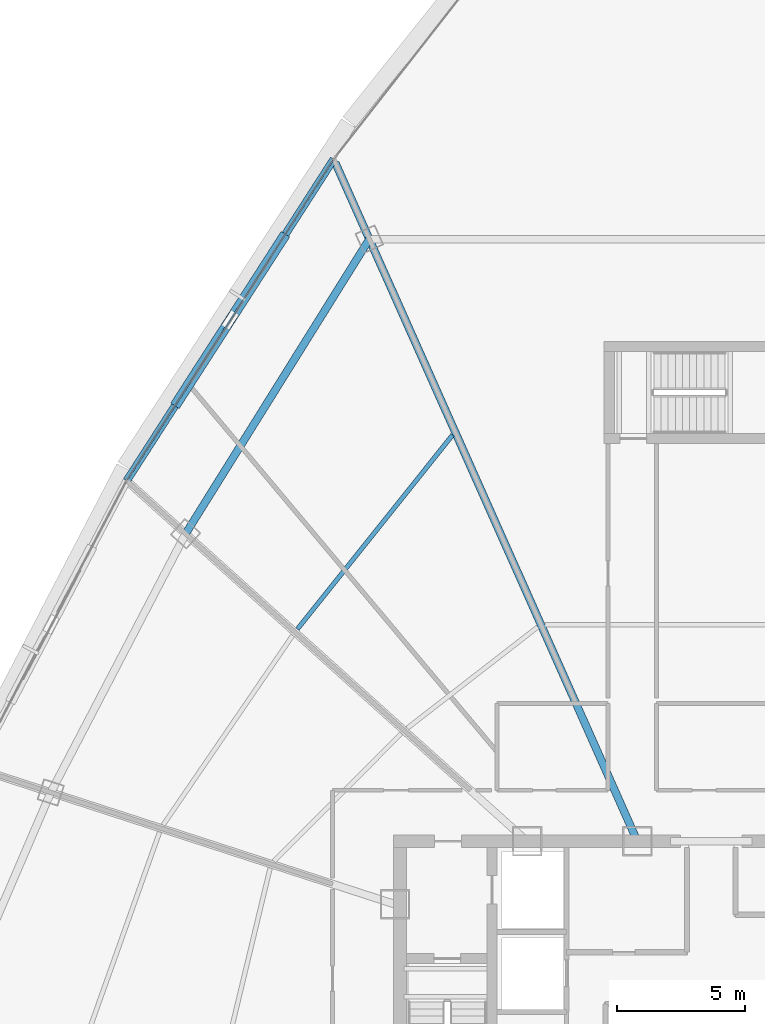
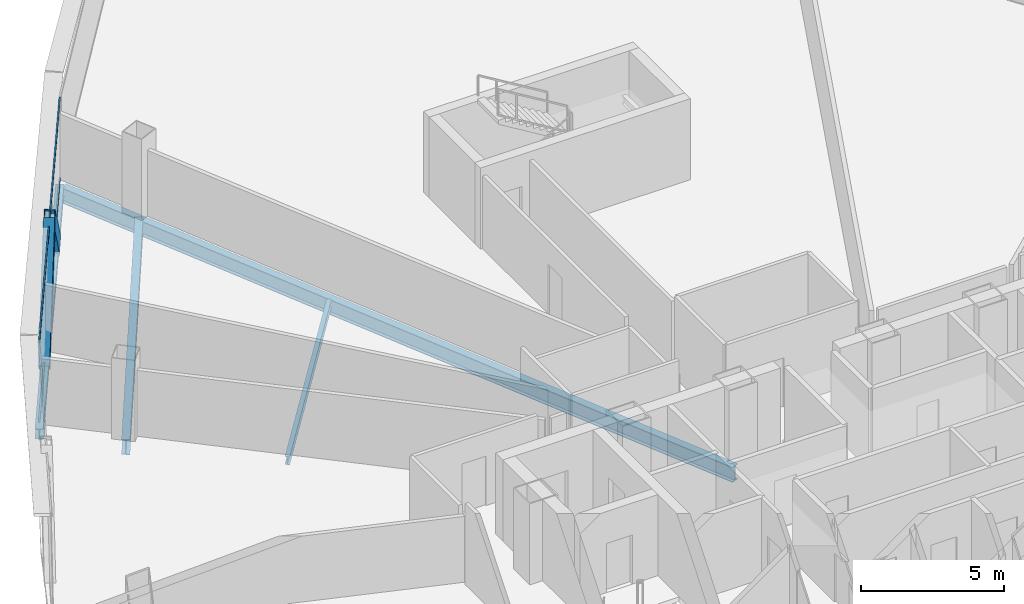
# One storey, part 15 of 34: 4 beams, 4 members, 1 element without a shape of its own.
"""IFC4 building model written with IfcOpenShell, lengths in metres."""

from ifc_helpers import new_model, si_unit, direction, frame, origin, origin_2d, place, context, subcontext, project, spatial, hollow_rectangle, i_section, extrude, source, transform, mapped, material, layer, layer_set, material_profile, profile_set, type_object, element, aggregate, save


model = new_model("IFC4")

# Units and contexts
model_context = context("Model", 3, precision=1e-05, world=origin(), true_north=direction((0.0, 1.0)))
body_context = subcontext(model_context, "Body", "Model", "MODEL_VIEW")
ifc_project = project(units=[si_unit("LENGTHUNIT", "METRE"), si_unit("AREAUNIT", "SQUARE_METRE"), si_unit("VOLUMEUNIT", "CUBIC_METRE"), si_unit("PLANEANGLEUNIT", "RADIAN"), si_unit("MASSUNIT", "GRAM", prefix="KILO"), si_unit("THERMODYNAMICTEMPERATUREUNIT", "KELVIN"), si_unit("POWERUNIT", "WATT")], contexts=[model_context])

# Site, building, storey
site_placement = place(None, origin())
site = spatial("IfcSite", under=ifc_project, at=site_placement, CompositionType="ELEMENT")
building_placement = place(site_placement, origin())
building = spatial("IfcBuilding", under=site, at=building_placement, Name="Yunzhuo Pagoda Commons", CompositionType="ELEMENT")
storey_placement = place(building_placement, frame((0.0, 0.0, 229.610107421875)))
storey = spatial("IfcBuildingStorey", under=building, at=storey_placement, Name="L57", CompositionType="ELEMENT", Elevation=229.610107421875)

# Beams
ifc_material_1 = material(Name="Structural steel Q355B", Category="steel")
ifc_material_profile_1 = material_profile(ifc_material_1, i_section(OverallWidth=0.300048828125, OverallDepth=0.43994140625, WebThickness=0.010986328125, FlangeThickness=0.01806640625, at=origin_2d()), Name="Structural steel Q355B")
ifc_profile_set_1 = profile_set([ifc_material_profile_1], Name="Structural steel Q355B")
beam_type_1 = type_object("IfcBeamType", Name="B-SP2 Beam HM 440x300x11x18", PredefinedType="BEAM", material=ifc_profile_set_1)
shared_shape_1 = source(origin(), body_context, "Body", "SweptSolid", [
    extrude(i_section(OverallWidth=0.300048828125, OverallDepth=0.43994140625, WebThickness=0.010986328125, FlangeThickness=0.01806640625, at=origin_2d()), origin(), (0.0, 0.0, 1.0), 14.9970703125),
])
beam_1_placement = place(storey_placement, frame((33.197265625, 66.947998046875, -0.480224609375), z_axis=(-0.541345740503, -0.840800088748, 0.0), x_axis=(0.840800088748, -0.541345740503, 0.0)))
element("IfcBeam", 1, at=beam_1_placement, inside=storey, type_object=beam_type_1, Name="L57 facade edge spandrel beam F3.1", PredefinedType="BEAM", context=body_context, shape_type="MappedRepresentation", body=[
    mapped(shared_shape_1, transform((0.0, 0.0, 0.0), scale=1.0)),
])
ifc_material_profile_2 = material_profile(ifc_material_1, i_section(OverallWidth=0.300048828125, OverallDepth=0.64990234375, WebThickness=0.012939453125, FlangeThickness=0.02197265625, at=origin_2d()), Name="Structural steel Q355B")
ifc_profile_set_2 = profile_set([ifc_material_profile_2], Name="Structural steel Q355B")
beam_type_2 = type_object("IfcBeamType", Name="B-RG2 Beam HN 650x300x13x22", PredefinedType="BEAM", material=ifc_profile_set_2)
shared_shape_2 = source(origin(), body_context, "Body", "SweptSolid", [
    extrude(i_section(OverallWidth=0.300048828125, OverallDepth=0.64990234375, WebThickness=0.012939453125, FlangeThickness=0.02197265625, at=origin_2d()), origin(), (0.0, 0.0, 1.0), 13.615478515625),
])
beam_2_placement = place(storey_placement, frame((34.59326171875, 63.81201171875, -0.585205078125), z_axis=(-0.529178300485, -0.848510651846, 0.0), x_axis=(0.848510651846, -0.529178300485, 0.0)))
element("IfcBeam", 2, at=beam_2_placement, inside=storey, type_object=beam_type_2, Name="L57 column-ring beam 9", PredefinedType="BEAM", context=body_context, shape_type="MappedRepresentation", body=[
    mapped(shared_shape_2, transform((0.0, 0.0, 0.0), scale=1.0)),
])
shared_shape_3 = source(origin(), body_context, "Body", "SweptSolid", [
    extrude(i_section(OverallWidth=0.300048828125, OverallDepth=0.64990234375, WebThickness=0.012939453125, FlangeThickness=0.02197265625, at=origin_2d()), origin(), (0.0, 0.0, 1.0), 29.12451171875),
])
beam_3_placement = place(storey_placement, frame((33.260009765625, 66.806640625, -0.585205078125), z_axis=(0.406733373538, -0.913546913328, 0.0), x_axis=(0.913546913328, 0.406733373538, 0.0)))
element("IfcBeam", 3, at=beam_3_placement, inside=storey, type_object=beam_type_2, Name="L57 radial floor girder F3C1", PredefinedType="BEAM", context=body_context, shape_type="MappedRepresentation", body=[
    mapped(shared_shape_3, transform((0.0, 0.0, 0.0), scale=1.0)),
])
ifc_material_profile_3 = material_profile(ifc_material_1, i_section(OverallWidth=0.175048828125, OverallDepth=0.35009765625, WebThickness=0.007080078125, FlangeThickness=0.010986328125, at=origin_2d()), Name="Structural steel Q355B")
ifc_profile_set_3 = profile_set([ifc_material_profile_3], Name="Structural steel Q355B")
beam_type_3 = type_object("IfcBeamType", Name="B-JS2 Joist HN 350x175x7x11", PredefinedType="JOIST", material=ifc_profile_set_3)
shared_shape_4 = source(origin(), body_context, "Body", "SweptSolid", [
    extrude(i_section(OverallWidth=0.175048828125, OverallDepth=0.35009765625, WebThickness=0.007080078125, FlangeThickness=0.010986328125, at=origin_2d()), origin(), (0.0, 0.0, 1.0), 9.741455078125),
])
beam_4_placement = place(storey_placement, frame((37.85791015625, 56.1318359375, -0.43505859375), z_axis=(-0.624618636222, -0.780929932378, 0.0), x_axis=(0.780929932378, -0.624618636222, 0.0)))
element("IfcBeam", 4, at=beam_4_placement, inside=storey, type_object=beam_type_3, Name="L57 composite ring joist 2.9", PredefinedType="JOIST", context=body_context, shape_type="MappedRepresentation", body=[
    mapped(shared_shape_4, transform((0.0, 0.0, 0.0), scale=1.0)),
])

# Members
ifc_material_profile_4 = material_profile(ifc_material_1, hollow_rectangle(XDim=0.39990234375, YDim=0.719970703125, WallThickness=0.02392578125, at=origin_2d()), Name="Structural steel Q355B")
ifc_profile_set_4 = profile_set([ifc_material_profile_4], Name="Structural steel Q355B")
member_type_1 = type_object("IfcMemberType", Name="M-DL2 Brace BOX 720x400x24", PredefinedType="BRACE", material=ifc_profile_set_4)
shared_shape_5 = source(origin(), body_context, "Body", "SweptSolid", [
    extrude(hollow_rectangle(XDim=0.39990234375, YDim=0.719970703125, WallThickness=0.02392578125, at=origin_2d()), origin(), (0.0, 0.0, 1.0), 5.288818359375),
])
member_1_placement = place(storey_placement, frame((27.108154296875, 57.490966796875, -0.260009765625), z_axis=(0.383748711328, 0.596096127677, 0.705270397169), x_axis=(-0.840829218209, 0.541300494925, 0.0)))
element("IfcMember", 5, at=member_1_placement, inside=storey, type_object=member_type_1, Name="L57 facade diamond brace F3.1R", PredefinedType="BRACE", context=body_context, shape_type="MappedRepresentation", body=[
    mapped(shared_shape_5, transform((0.0, 0.0, 0.0), scale=1.0)),
])
shared_shape_6 = source(origin(), body_context, "Body", "SweptSolid", [
    extrude(hollow_rectangle(XDim=0.39990234375, YDim=0.719970703125, WallThickness=0.02392578125, at=origin_2d()), origin(), (0.0, 0.0, 1.0), 5.28857421875),
])
member_2_placement = place(storey_placement, frame((31.167724609375, 63.795654296875, -0.260009765625), z_axis=(-0.383848558432, -0.596015482611, 0.705284218367), x_axis=(0.840731769629, -0.541451836765, 0.0)))
element("IfcMember", 6, at=member_2_placement, inside=storey, type_object=member_type_1, Name="L57 facade diamond brace F3.1L", PredefinedType="BRACE", context=body_context, shape_type="MappedRepresentation", body=[
    mapped(shared_shape_6, transform((0.0, 0.0, 0.0), scale=1.0)),
])

# Curtain wall, members
ifc_material_2 = material(Name="Anodized aluminium 6063-T6", Category="aluminium")
ifc_layer = layer(ifc_material_2, 0.139892578125)
ifc_layer_set = layer_set([ifc_layer], Name="Anodized aluminium 6063-T6")
curtain_wall_type = type_object("IfcCurtainWallType", Name="CW-HI High-Zone Ribbon Curtain Wall", PredefinedType="NOTDEFINED", material=ifc_layer_set)
curtain_wall_placement = place(storey_placement, origin())
curtain_wall = element("IfcCurtainWall", 7, at=curtain_wall_placement, inside=storey, type_object=curtain_wall_type, Name="L57 curtain wall CW-L57-F3B2", PredefinedType="NOTDEFINED")
ifc_material_profile_5 = material_profile(ifc_material_2, hollow_rectangle(XDim=0.054931640625, YDim=0.1201171875, WallThickness=0.00341796875, at=origin_2d()), Name="Anodized aluminium 6063-T6")
ifc_profile_set_5 = profile_set([ifc_material_profile_5], Name="Anodized aluminium 6063-T6")
member_type_2 = type_object("IfcMemberType", Name="CW-HI-T Transom RHS 120x55x3.5", PredefinedType="USERDEFINED", material=ifc_profile_set_5)
shared_shape_7 = source(origin(), body_context, "Body", "SweptSolid", [
    extrude(hollow_rectangle(XDim=0.054931640625, YDim=0.1201171875, WallThickness=0.00341796875, at=origin_2d()), origin(), (0.0, 0.0, 1.0), 14.877197265625),
])
member_3_placement = place(storey_placement, frame((33.16455078125, 66.897705078125, 0.02734375), z_axis=(-0.541333076232, -0.840808242453, 0.0), x_axis=(0.840808242453, -0.541333076232, 0.0)))
member_3 = element("IfcMember", 8, at=member_3_placement, type_object=member_type_2, Name="CW transom 1.1", ObjectType="TRANSOM", PredefinedType="USERDEFINED", context=body_context, shape_type="MappedRepresentation", body=[
    mapped(shared_shape_7, transform((0.0, 0.0, 0.0), scale=1.0)),
])
member_4_placement = place(storey_placement, frame((33.16455078125, 66.897705078125, 3.4423828125), z_axis=(-0.541333076232, -0.840808242453, 0.0), x_axis=(0.840808242453, -0.541333076232, 0.0)))
member_4 = element("IfcMember", 9, at=member_4_placement, type_object=member_type_2, Name="CW transom 1.2", ObjectType="TRANSOM", PredefinedType="USERDEFINED", context=body_context, shape_type="MappedRepresentation", body=[
    mapped(shared_shape_7, transform((0.0, 0.0, 0.0), scale=1.0)),
])
aggregate(curtain_wall, [member_3, member_4])

save(model, "model.ifc")
